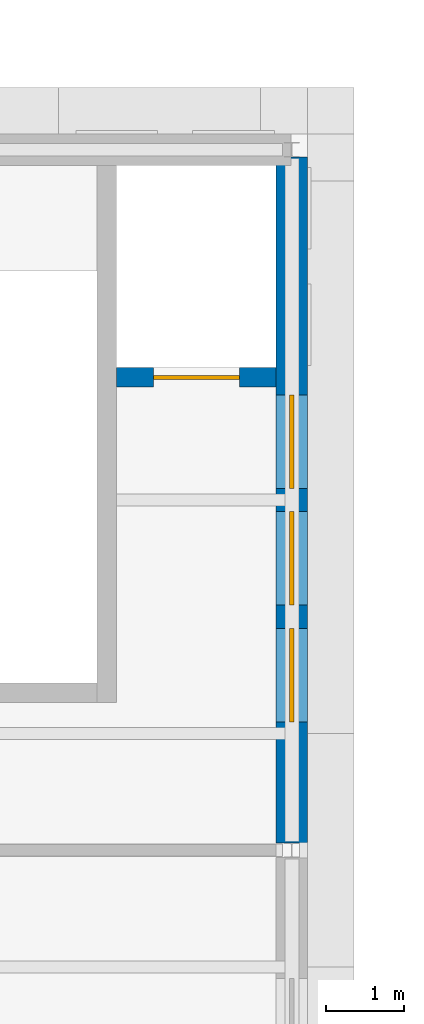
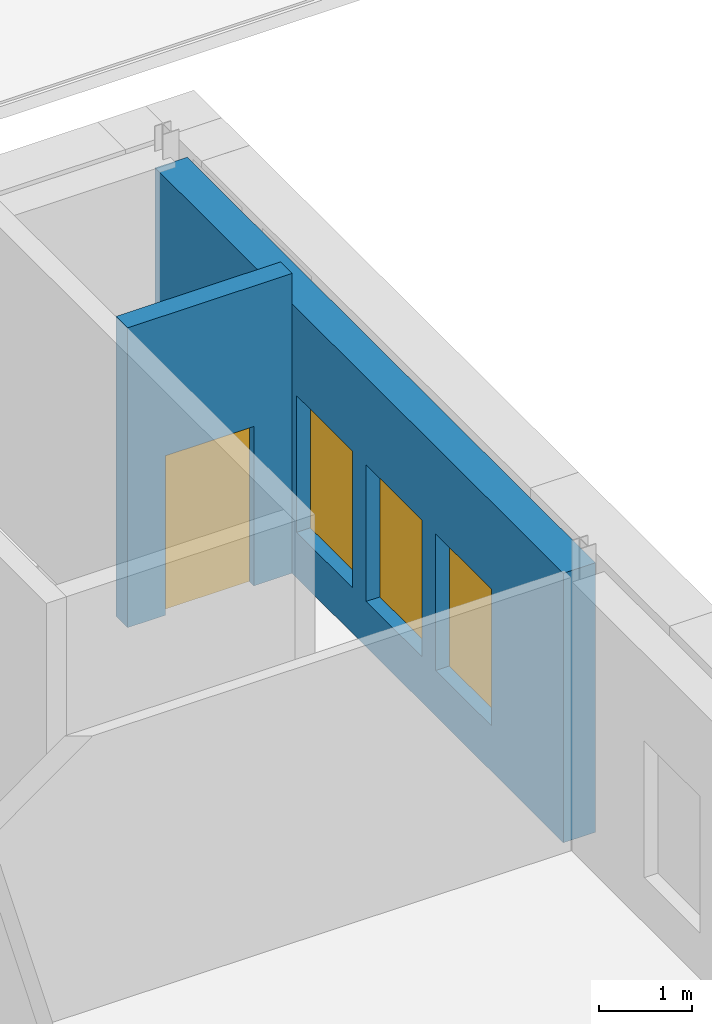
# One storey, part 109 of 154: 3 windows, 2 walls, 1 door, 4 openings.
"""IFC4 building model written with IfcOpenShell, lengths in metres."""

from ifc_helpers import new_model, si_unit, direction, frame, frame_2d, origin, place, context, subcontext, project, spatial, rectangle, extrude, material, layer, layer_set, type_object, element, fill, save


model = new_model("IFC4")

# Units and contexts
model_context = context("Model", 3, precision=1e-05, world=origin(), true_north=direction((0.0, 1.0)))
body_context = subcontext(model_context, "Body", "Model", "MODEL_VIEW")
ifc_project = project(units=[si_unit("LENGTHUNIT", "METRE"), si_unit("AREAUNIT", "SQUARE_METRE"), si_unit("VOLUMEUNIT", "CUBIC_METRE"), si_unit("PLANEANGLEUNIT", "RADIAN"), si_unit("MASSUNIT", "GRAM", prefix="KILO")], contexts=[model_context])

# Site, building, storey
site_placement = place(None, origin())
site = spatial("IfcSite", under=ifc_project, at=site_placement, CompositionType="ELEMENT")
building_placement = place(site_placement, origin())
building = spatial("IfcBuilding", under=site, at=building_placement, Name="Golden Quay Civic Hall", CompositionType="ELEMENT")
storey_placement = place(building_placement, frame((0.0, 0.0, 14.39990234375)))
storey = spatial("IfcBuildingStorey", under=building, at=storey_placement, Name="L03", CompositionType="ELEMENT", Elevation=14.39990234375)

# Wall, opening, door
ifc_material_1 = material(Name="Concrete C40/50", Category="concrete")
ifc_layer_1 = layer(ifc_material_1, 0.25)
ifc_layer_set_1 = layer_set([ifc_layer_1], Name="Concrete core wall 250, Concrete C40/50")
wall_type_1 = type_object("IfcWallType", Name="Concrete core wall 250", PredefinedType="SHEAR", material=ifc_layer_set_1)
wall_1_placement = place(storey_placement, frame((114.75, 51.074951171875, 0.0), z_axis=(0.0, 0.0, 1.0), x_axis=(1.0, 0.0, 0.0)))
wall_1 = element("IfcWall", 1, at=wall_1_placement, inside=storey, type_object=wall_type_1, Name="Core wall EM-N-W4", PredefinedType="SHEAR", context=body_context, shape_type="SweptSolid", body=[
    extrude(rectangle(XDim=2.050048828125, YDim=0.25, at=frame_2d((1.02490234375, 0.0))), origin(), (0.0, 0.0, 1.0), 3.9501953125),
])
opening_1_placement = place(wall_1_placement, frame((0.47509765625, 0.0, 0.0)))
opening_1 = element("IfcOpeningElement", 2, at=opening_1_placement, cuts=wall_1, Name="Opening L03-D125", PredefinedType="OPENING", context=body_context, shape_type="SweptSolid", body=[
    extrude(rectangle(XDim=1.10009765625, YDim=2.10009765625, at=frame_2d((0.550048828125, 1.050048828125))), frame((0.0, 0.135009765625, 0.0), z_axis=(0.0, -1.0, 0.0), x_axis=(1.0, 0.0, 0.0)), (0.0, 0.0, 1.0), 0.27001953125),
])
ifc_material_2 = material(Name="Steel", Category="steel")
door_type = type_object("IfcDoorType", Name="Lift landing door 1100 x 2100", OperationType="SLIDING_TO_LEFT", PredefinedType="DOOR", material=ifc_material_2)
door_placement = place(opening_1_placement, origin())
door = element("IfcDoor", 3, at=door_placement, inside=storey, type_object=door_type, Name="Lift landing door L03-D125 EM-N", OperationType="SLIDING_TO_LEFT", OverallHeight=2.10009765625, OverallWidth=1.10009765625, PredefinedType="DOOR", context=body_context, shape_type="SweptSolid", body=[
    extrude(rectangle(XDim=1.10009765625, YDim=2.10009765625, at=frame_2d((0.550048828125, 1.050048828125))), frame((0.0, 0.02490234375, 0.0), z_axis=(0.0, -1.0, 0.0), x_axis=(1.0, 0.0, 0.0)), (0.0, 0.0, 1.0), 0.050048828125),
])
fill(opening_1, door)

# Wall, openings, windows
ifc_material_3 = material(Name="Clay block, rendered, cream")
ifc_layer_2 = layer(ifc_material_3, 0.39990234375)
ifc_layer_set_2 = layer_set([ifc_layer_2], Name="Rendered block external wall 400 fire EI 60")
wall_type_2 = type_object("IfcWallType", Name="Rendered block external wall 400 fire EI 60", PredefinedType="STANDARD", material=ifc_layer_set_2)
wall_2_placement = place(storey_placement, frame((117.0, 53.905029296875, 0.0), z_axis=(0.0, 0.0, 1.0), x_axis=(0.0, -1.0, 0.0)))
wall_2 = element("IfcWall", 4, at=wall_2_placement, inside=storey, type_object=wall_type_2, Name="Rendered block external wall 400 fire EI 60 L03 8", PredefinedType="STANDARD", context=body_context, shape_type="SweptSolid", body=[
    extrude(rectangle(XDim=8.81005859375, YDim=0.39990234375, at=frame_2d((4.405029296875, 0.0))), origin(), (0.0, 0.0, 1.0), 3.550048828125),
])
opening_2_placement = place(wall_2_placement, frame((6.054931640625, 0.0, 0.60009765625)))
opening_2 = element("IfcOpeningElement", 5, at=opening_2_placement, cuts=wall_2, Name="Opening WN10", PredefinedType="OPENING", context=body_context, shape_type="SweptSolid", body=[
    extrude(rectangle(XDim=1.199951171875, YDim=1.800048828125, at=frame_2d((0.60009765625, 0.89990234375))), frame((0.0, 0.2099609375, 0.0), z_axis=(0.0, -1.0, 0.0), x_axis=(1.0, 0.0, 0.0)), (0.0, 0.0, 1.0), 0.419921875),
])
opening_3_placement = place(wall_2_placement, frame((4.554931640625, 0.0, 0.60009765625)))
opening_3 = element("IfcOpeningElement", 6, at=opening_3_placement, cuts=wall_2, Name="Opening WN10", PredefinedType="OPENING", context=body_context, shape_type="SweptSolid", body=[
    extrude(rectangle(XDim=1.199951171875, YDim=1.800048828125, at=frame_2d((0.60009765625, 0.89990234375))), frame((0.0, 0.2099609375, 0.0), z_axis=(0.0, -1.0, 0.0), x_axis=(1.0, 0.0, 0.0)), (0.0, 0.0, 1.0), 0.419921875),
])
opening_4_placement = place(wall_2_placement, frame((3.054931640625, 0.0, 0.60009765625)))
opening_4 = element("IfcOpeningElement", 7, at=opening_4_placement, cuts=wall_2, Name="Opening WN10", PredefinedType="OPENING", context=body_context, shape_type="SweptSolid", body=[
    extrude(rectangle(XDim=1.199951171875, YDim=1.800048828125, at=frame_2d((0.60009765625, 0.89990234375))), frame((0.0, 0.2099609375, 0.0), z_axis=(0.0, -1.0, 0.0), x_axis=(1.0, 0.0, 0.0)), (0.0, 0.0, 1.0), 0.419921875),
])
ifc_material_4 = material(Name="Aluminium frame, double glazed", Category="aluminium")
window_type = type_object("IfcWindowType", Name="Golden grid window 1200 x 1800", PartitioningType="SINGLE_PANEL", PredefinedType="WINDOW", material=ifc_material_4)
window_1_placement = place(opening_2_placement, origin())
window_1 = element("IfcWindow", 8, at=window_1_placement, inside=storey, type_object=window_type, Name="Golden grid window 1200 x 1800 L03 71", OverallHeight=1.800048828125, OverallWidth=1.199951171875, PartitioningType="SINGLE_PANEL", PredefinedType="WINDOW", context=body_context, shape_type="SweptSolid", body=[
    extrude(rectangle(XDim=1.199951171875, YDim=1.800048828125, at=frame_2d((0.60009765625, 0.89990234375))), frame((0.0, 0.030029296875, 0.0), z_axis=(0.0, -1.0, 0.0), x_axis=(1.0, 0.0, 0.0)), (0.0, 0.0, 1.0), 0.06005859375),
])
fill(opening_2, window_1)
window_2_placement = place(opening_3_placement, origin())
window_2 = element("IfcWindow", 9, at=window_2_placement, inside=storey, type_object=window_type, Name="Golden grid window 1200 x 1800 L03 72", OverallHeight=1.800048828125, OverallWidth=1.199951171875, PartitioningType="SINGLE_PANEL", PredefinedType="WINDOW", context=body_context, shape_type="SweptSolid", body=[
    extrude(rectangle(XDim=1.199951171875, YDim=1.800048828125, at=frame_2d((0.60009765625, 0.89990234375))), frame((0.0, 0.030029296875, 0.0), z_axis=(0.0, -1.0, 0.0), x_axis=(1.0, 0.0, 0.0)), (0.0, 0.0, 1.0), 0.06005859375),
])
fill(opening_3, window_2)
window_3_placement = place(opening_4_placement, origin())
window_3 = element("IfcWindow", 10, at=window_3_placement, inside=storey, type_object=window_type, Name="Golden grid window 1200 x 1800 L03 73", OverallHeight=1.800048828125, OverallWidth=1.199951171875, PartitioningType="SINGLE_PANEL", PredefinedType="WINDOW", context=body_context, shape_type="SweptSolid", body=[
    extrude(rectangle(XDim=1.199951171875, YDim=1.800048828125, at=frame_2d((0.60009765625, 0.89990234375))), frame((0.0, 0.030029296875, 0.0), z_axis=(0.0, -1.0, 0.0), x_axis=(1.0, 0.0, 0.0)), (0.0, 0.0, 1.0), 0.06005859375),
])
fill(opening_4, window_3)

save(model, "model.ifc")
